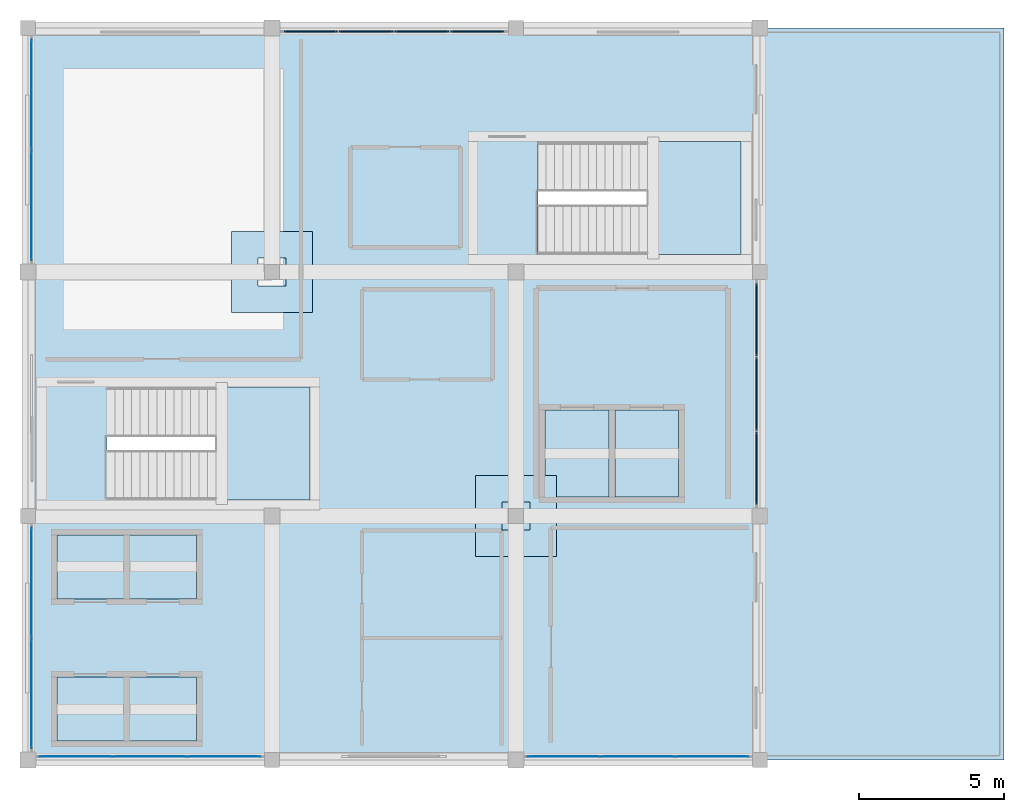
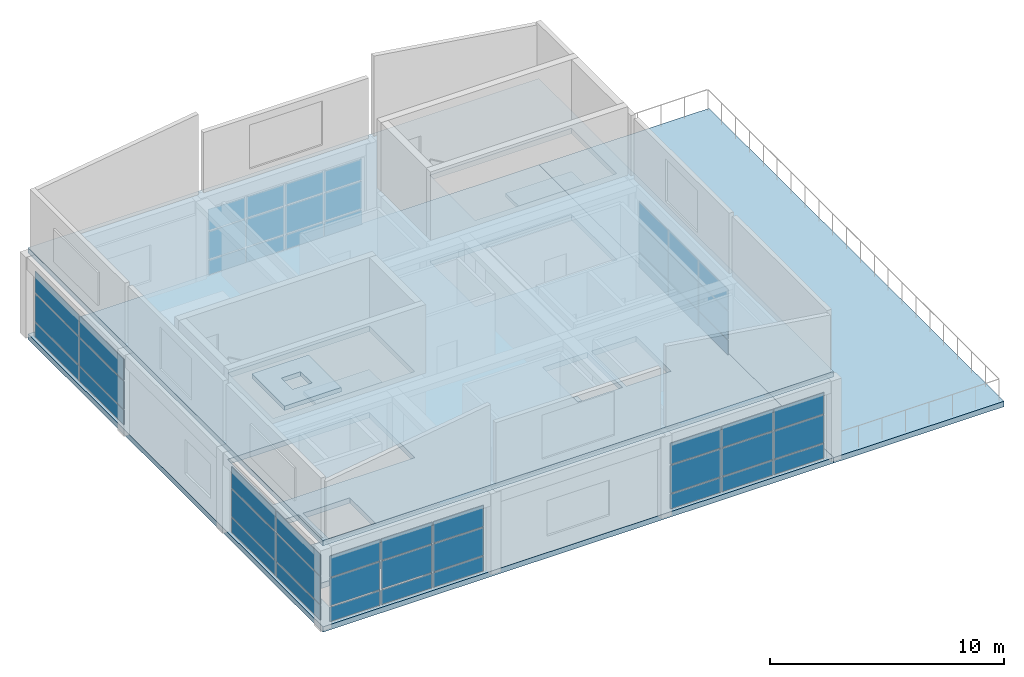
# One storey, part 13 of 17: 51 plates, 7 slabs, 8 elements without a shape of their own.
"""IFC4 building model written with IfcOpenShell, lengths in metres."""

from ifc_helpers import new_model, si_unit, direction, frame, origin, origin_2d, place, context, subcontext, project, spatial, polyline, rectangle, outline, extrude, material, layer, layer_set, type_object, element, aggregate, save


model = new_model("IFC4")

# Units and contexts
model_context = context("Model", 3, precision=1e-05, world=origin(), true_north=direction((0.0, 1.0)))
body_context = subcontext(model_context, "Body", "Model", "MODEL_VIEW")
ifc_project = project(units=[si_unit("LENGTHUNIT", "METRE"), si_unit("AREAUNIT", "SQUARE_METRE"), si_unit("VOLUMEUNIT", "CUBIC_METRE"), si_unit("PLANEANGLEUNIT", "RADIAN"), si_unit("MASSUNIT", "GRAM", prefix="KILO")], contexts=[model_context])

# Site, building, storey
site_placement = place(None, origin())
site = spatial("IfcSite", under=ifc_project, at=site_placement, CompositionType="ELEMENT")
building_placement = place(site_placement, origin())
building = spatial("IfcBuilding", under=site, at=building_placement, Name="Almacenes y Pasaje Nevantli", CompositionType="ELEMENT")
storey_placement = place(building_placement, frame((0.0, 0.0, 66.699951171875)))
storey = spatial("IfcBuildingStorey", under=building, at=storey_placement, Name="L16", CompositionType="ELEMENT", Elevation=66.699951171875)

# Curtain wall, plates
ifc_material_1 = material(Name="Thermally Broken Aluminium and Low-E Glass", Category="aluminium")
curtain_wall_type = type_object("IfcCurtainWallType", Name="CW-UNIT-TOWER", PredefinedType="USERDEFINED", material=ifc_material_1)
curtain_wall_1_placement = place(storey_placement, origin())
curtain_wall_1 = element("IfcCurtainWall", 1, at=curtain_wall_1_placement, inside=storey, type_object=curtain_wall_type, Name="L16 Tower South Unitized Curtain Wall Bay 15", ObjectType="UNITIZED CURTAIN WALL", PredefinedType="USERDEFINED")
ifc_material_2 = material(Name="Low-E Double Glazed Insulated Unit", Category="glass")
ifc_layer_1 = layer(ifc_material_2, 0.031982421875)
ifc_layer_set_1 = layer_set([ifc_layer_1], Name="Low-E Double Glazed Insulated Unit")
plate_type_1 = type_object("IfcPlateType", Name="PL-IGU-32", PredefinedType="CURTAIN_PANEL", material=ifc_layer_set_1)
plate_1_placement = place(storey_placement, frame((119.248291015625, 67.320068359375, 0.06005859375), z_axis=(0.0, 0.0, 1.0), x_axis=(1.0, 0.0, 0.0)))
plate_1 = element("IfcPlate", 2, at=plate_1_placement, type_object=plate_type_1, Name="CW-L16-191 panel 1.1", PredefinedType="CURTAIN_PANEL", context=body_context, shape_type="SweptSolid", body=[
    extrude(rectangle(XDim=2.4765625, YDim=0.031982421875, at=origin_2d()), origin(), (0.0, 0.0, 1.0), 0.760009765625),
])
plate_2_placement = place(storey_placement, frame((119.248291015625, 67.320068359375, 0.880126953125), z_axis=(0.0, 0.0, 1.0), x_axis=(1.0, 0.0, 0.0)))
plate_2 = element("IfcPlate", 3, at=plate_2_placement, type_object=plate_type_1, Name="CW-L16-191 panel 1.2", PredefinedType="CURTAIN_PANEL", context=body_context, shape_type="SweptSolid", body=[
    extrude(rectangle(XDim=2.4765625, YDim=0.031982421875, at=origin_2d()), origin(), (0.0, 0.0, 1.0), 1.43994140625),
])
plate_3_placement = place(storey_placement, frame((119.248291015625, 67.320068359375, 2.3798828125), z_axis=(0.0, 0.0, 1.0), x_axis=(1.0, 0.0, 0.0)))
plate_3 = element("IfcPlate", 4, at=plate_3_placement, type_object=plate_type_1, Name="CW-L16-191 panel 1.3", PredefinedType="CURTAIN_PANEL", context=body_context, shape_type="SweptSolid", body=[
    extrude(rectangle(XDim=2.4765625, YDim=0.031982421875, at=origin_2d()), origin(), (0.0, 0.0, 1.0), 1.10009765625),
])
plate_4_placement = place(storey_placement, frame((121.800048828125, 67.320068359375, 0.06005859375), z_axis=(0.0, 0.0, 1.0), x_axis=(1.0, 0.0, 0.0)))
plate_4 = element("IfcPlate", 5, at=plate_4_placement, type_object=plate_type_1, Name="CW-L16-191 panel 2.1", PredefinedType="CURTAIN_PANEL", context=body_context, shape_type="SweptSolid", body=[
    extrude(rectangle(XDim=2.506591796875, YDim=0.031982421875, at=origin_2d()), origin(), (0.0, 0.0, 1.0), 0.760009765625),
])
plate_5_placement = place(storey_placement, frame((121.800048828125, 67.320068359375, 0.880126953125), z_axis=(0.0, 0.0, 1.0), x_axis=(1.0, 0.0, 0.0)))
plate_5 = element("IfcPlate", 6, at=plate_5_placement, type_object=plate_type_1, Name="CW-L16-191 panel 2.2", PredefinedType="CURTAIN_PANEL", context=body_context, shape_type="SweptSolid", body=[
    extrude(rectangle(XDim=2.506591796875, YDim=0.031982421875, at=origin_2d()), origin(), (0.0, 0.0, 1.0), 1.43994140625),
])
plate_6_placement = place(storey_placement, frame((121.800048828125, 67.320068359375, 2.3798828125), z_axis=(0.0, 0.0, 1.0), x_axis=(1.0, 0.0, 0.0)))
plate_6 = element("IfcPlate", 7, at=plate_6_placement, type_object=plate_type_1, Name="CW-L16-191 panel 2.3", PredefinedType="CURTAIN_PANEL", context=body_context, shape_type="SweptSolid", body=[
    extrude(rectangle(XDim=2.506591796875, YDim=0.031982421875, at=origin_2d()), origin(), (0.0, 0.0, 1.0), 1.10009765625),
])
plate_7_placement = place(storey_placement, frame((124.3515625, 67.320068359375, 0.06005859375), z_axis=(0.0, 0.0, 1.0), x_axis=(1.0, 0.0, 0.0)))
plate_7 = element("IfcPlate", 8, at=plate_7_placement, type_object=plate_type_1, Name="CW-L16-191 panel 3.1", PredefinedType="CURTAIN_PANEL", context=body_context, shape_type="SweptSolid", body=[
    extrude(rectangle(XDim=2.4765625, YDim=0.031982421875, at=origin_2d()), origin(), (0.0, 0.0, 1.0), 0.760009765625),
])
plate_8_placement = place(storey_placement, frame((124.3515625, 67.320068359375, 0.880126953125), z_axis=(0.0, 0.0, 1.0), x_axis=(1.0, 0.0, 0.0)))
plate_8 = element("IfcPlate", 9, at=plate_8_placement, type_object=plate_type_1, Name="CW-L16-191 panel 3.2", PredefinedType="CURTAIN_PANEL", context=body_context, shape_type="SweptSolid", body=[
    extrude(rectangle(XDim=2.4765625, YDim=0.031982421875, at=origin_2d()), origin(), (0.0, 0.0, 1.0), 1.43994140625),
])
plate_9_placement = place(storey_placement, frame((124.3515625, 67.320068359375, 2.3798828125), z_axis=(0.0, 0.0, 1.0), x_axis=(1.0, 0.0, 0.0)))
plate_9 = element("IfcPlate", 10, at=plate_9_placement, type_object=plate_type_1, Name="CW-L16-191 panel 3.3", PredefinedType="CURTAIN_PANEL", context=body_context, shape_type="SweptSolid", body=[
    extrude(rectangle(XDim=2.4765625, YDim=0.031982421875, at=origin_2d()), origin(), (0.0, 0.0, 1.0), 1.10009765625),
])
aggregate(curtain_wall_1, [plate_1, plate_2, plate_3, plate_4, plate_5, plate_6, plate_7, plate_8, plate_9])

curtain_wall_2_placement = place(storey_placement, origin())
curtain_wall_2 = element("IfcCurtainWall", 11, at=curtain_wall_2_placement, inside=storey, type_object=curtain_wall_type, Name="L16 Tower South Unitized Curtain Wall Bay 17", ObjectType="UNITIZED CURTAIN WALL", PredefinedType="USERDEFINED")
plate_10_placement = place(storey_placement, frame((136.04833984375, 67.320068359375, 0.06005859375), z_axis=(0.0, 0.0, 1.0), x_axis=(1.0, 0.0, 0.0)))
plate_10 = element("IfcPlate", 12, at=plate_10_placement, type_object=plate_type_1, Name="CW-L16-193 panel 1.1", PredefinedType="CURTAIN_PANEL", context=body_context, shape_type="SweptSolid", body=[
    extrude(rectangle(XDim=2.4765625, YDim=0.031982421875, at=origin_2d()), origin(), (0.0, 0.0, 1.0), 0.760009765625),
])
plate_11_placement = place(storey_placement, frame((136.04833984375, 67.320068359375, 0.880126953125), z_axis=(0.0, 0.0, 1.0), x_axis=(1.0, 0.0, 0.0)))
plate_11 = element("IfcPlate", 13, at=plate_11_placement, type_object=plate_type_1, Name="CW-L16-193 panel 1.2", PredefinedType="CURTAIN_PANEL", context=body_context, shape_type="SweptSolid", body=[
    extrude(rectangle(XDim=2.4765625, YDim=0.031982421875, at=origin_2d()), origin(), (0.0, 0.0, 1.0), 1.43994140625),
])
plate_12_placement = place(storey_placement, frame((136.04833984375, 67.320068359375, 2.3798828125), z_axis=(0.0, 0.0, 1.0), x_axis=(1.0, 0.0, 0.0)))
plate_12 = element("IfcPlate", 14, at=plate_12_placement, type_object=plate_type_1, Name="CW-L16-193 panel 1.3", PredefinedType="CURTAIN_PANEL", context=body_context, shape_type="SweptSolid", body=[
    extrude(rectangle(XDim=2.4765625, YDim=0.031982421875, at=origin_2d()), origin(), (0.0, 0.0, 1.0), 1.10009765625),
])
plate_13_placement = place(storey_placement, frame((138.60009765625, 67.320068359375, 0.06005859375), z_axis=(0.0, 0.0, 1.0), x_axis=(1.0, 0.0, 0.0)))
plate_13 = element("IfcPlate", 15, at=plate_13_placement, type_object=plate_type_1, Name="CW-L16-193 panel 2.1", PredefinedType="CURTAIN_PANEL", context=body_context, shape_type="SweptSolid", body=[
    extrude(rectangle(XDim=2.506591796875, YDim=0.031982421875, at=origin_2d()), origin(), (0.0, 0.0, 1.0), 0.760009765625),
])
plate_14_placement = place(storey_placement, frame((138.60009765625, 67.320068359375, 0.880126953125), z_axis=(0.0, 0.0, 1.0), x_axis=(1.0, 0.0, 0.0)))
plate_14 = element("IfcPlate", 16, at=plate_14_placement, type_object=plate_type_1, Name="CW-L16-193 panel 2.2", PredefinedType="CURTAIN_PANEL", context=body_context, shape_type="SweptSolid", body=[
    extrude(rectangle(XDim=2.506591796875, YDim=0.031982421875, at=origin_2d()), origin(), (0.0, 0.0, 1.0), 1.43994140625),
])
plate_15_placement = place(storey_placement, frame((138.60009765625, 67.320068359375, 2.3798828125), z_axis=(0.0, 0.0, 1.0), x_axis=(1.0, 0.0, 0.0)))
plate_15 = element("IfcPlate", 17, at=plate_15_placement, type_object=plate_type_1, Name="CW-L16-193 panel 2.3", PredefinedType="CURTAIN_PANEL", context=body_context, shape_type="SweptSolid", body=[
    extrude(rectangle(XDim=2.506591796875, YDim=0.031982421875, at=origin_2d()), origin(), (0.0, 0.0, 1.0), 1.10009765625),
])
plate_16_placement = place(storey_placement, frame((141.151611328125, 67.320068359375, 0.06005859375), z_axis=(0.0, 0.0, 1.0), x_axis=(1.0, 0.0, 0.0)))
plate_16 = element("IfcPlate", 18, at=plate_16_placement, type_object=plate_type_1, Name="CW-L16-193 panel 3.1", PredefinedType="CURTAIN_PANEL", context=body_context, shape_type="SweptSolid", body=[
    extrude(rectangle(XDim=2.4765625, YDim=0.031982421875, at=origin_2d()), origin(), (0.0, 0.0, 1.0), 0.760009765625),
])
plate_17_placement = place(storey_placement, frame((141.151611328125, 67.320068359375, 0.880126953125), z_axis=(0.0, 0.0, 1.0), x_axis=(1.0, 0.0, 0.0)))
plate_17 = element("IfcPlate", 19, at=plate_17_placement, type_object=plate_type_1, Name="CW-L16-193 panel 3.2", PredefinedType="CURTAIN_PANEL", context=body_context, shape_type="SweptSolid", body=[
    extrude(rectangle(XDim=2.4765625, YDim=0.031982421875, at=origin_2d()), origin(), (0.0, 0.0, 1.0), 1.43994140625),
])
plate_18_placement = place(storey_placement, frame((141.151611328125, 67.320068359375, 2.3798828125), z_axis=(0.0, 0.0, 1.0), x_axis=(1.0, 0.0, 0.0)))
plate_18 = element("IfcPlate", 20, at=plate_18_placement, type_object=plate_type_1, Name="CW-L16-193 panel 3.3", PredefinedType="CURTAIN_PANEL", context=body_context, shape_type="SweptSolid", body=[
    extrude(rectangle(XDim=2.4765625, YDim=0.031982421875, at=origin_2d()), origin(), (0.0, 0.0, 1.0), 1.10009765625),
])
aggregate(curtain_wall_2, [plate_10, plate_11, plate_12, plate_13, plate_14, plate_15, plate_16, plate_17, plate_18])

curtain_wall_3_placement = place(storey_placement, origin())
curtain_wall_3 = element("IfcCurtainWall", 21, at=curtain_wall_3_placement, inside=storey, type_object=curtain_wall_type, Name="L16 Tower West Curtain Wall Bay 9", ObjectType="UNITIZED CURTAIN WALL", PredefinedType="USERDEFINED")
plate_19_placement = place(storey_placement, frame((117.719970703125, 69.489990234375, 0.06005859375), z_axis=(0.0, 0.0, 1.0), x_axis=(0.0, 1.0, 0.0)))
plate_19 = element("IfcPlate", 22, at=plate_19_placement, type_object=plate_type_1, Name="CW-L16-194 panel 1.1", PredefinedType="CURTAIN_PANEL", context=body_context, shape_type="SweptSolid", body=[
    extrude(rectangle(XDim=3.760009765625, YDim=0.031982421875, at=origin_2d()), origin(), (0.0, 0.0, 1.0), 0.760009765625),
])
plate_20_placement = place(storey_placement, frame((117.719970703125, 69.489990234375, 0.880126953125), z_axis=(0.0, 0.0, 1.0), x_axis=(0.0, 1.0, 0.0)))
plate_20 = element("IfcPlate", 23, at=plate_20_placement, type_object=plate_type_1, Name="CW-L16-194 panel 1.2", PredefinedType="CURTAIN_PANEL", context=body_context, shape_type="SweptSolid", body=[
    extrude(rectangle(XDim=3.760009765625, YDim=0.031982421875, at=origin_2d()), origin(), (0.0, 0.0, 1.0), 1.43994140625),
])
plate_21_placement = place(storey_placement, frame((117.719970703125, 69.489990234375, 2.3798828125), z_axis=(0.0, 0.0, 1.0), x_axis=(0.0, 1.0, 0.0)))
plate_21 = element("IfcPlate", 24, at=plate_21_placement, type_object=plate_type_1, Name="CW-L16-194 panel 1.3", PredefinedType="CURTAIN_PANEL", context=body_context, shape_type="SweptSolid", body=[
    extrude(rectangle(XDim=3.760009765625, YDim=0.031982421875, at=origin_2d()), origin(), (0.0, 0.0, 1.0), 1.10009765625),
])
plate_22_placement = place(storey_placement, frame((117.719970703125, 73.31005859375, 0.06005859375), z_axis=(0.0, 0.0, 1.0), x_axis=(0.0, 1.0, 0.0)))
plate_22 = element("IfcPlate", 25, at=plate_22_placement, type_object=plate_type_1, Name="CW-L16-194 panel 2.1", PredefinedType="CURTAIN_PANEL", context=body_context, shape_type="SweptSolid", body=[
    extrude(rectangle(XDim=3.760009765625, YDim=0.031982421875, at=origin_2d()), origin(), (0.0, 0.0, 1.0), 0.760009765625),
])
plate_23_placement = place(storey_placement, frame((117.719970703125, 73.31005859375, 0.880126953125), z_axis=(0.0, 0.0, 1.0), x_axis=(0.0, 1.0, 0.0)))
plate_23 = element("IfcPlate", 26, at=plate_23_placement, type_object=plate_type_1, Name="CW-L16-194 panel 2.2", PredefinedType="CURTAIN_PANEL", context=body_context, shape_type="SweptSolid", body=[
    extrude(rectangle(XDim=3.760009765625, YDim=0.031982421875, at=origin_2d()), origin(), (0.0, 0.0, 1.0), 1.43994140625),
])
plate_24_placement = place(storey_placement, frame((117.719970703125, 73.31005859375, 2.3798828125), z_axis=(0.0, 0.0, 1.0), x_axis=(0.0, 1.0, 0.0)))
plate_24 = element("IfcPlate", 27, at=plate_24_placement, type_object=plate_type_1, Name="CW-L16-194 panel 2.3", PredefinedType="CURTAIN_PANEL", context=body_context, shape_type="SweptSolid", body=[
    extrude(rectangle(XDim=3.760009765625, YDim=0.031982421875, at=origin_2d()), origin(), (0.0, 0.0, 1.0), 1.10009765625),
])
aggregate(curtain_wall_3, [plate_19, plate_20, plate_21, plate_22, plate_23, plate_24])

curtain_wall_4_placement = place(storey_placement, origin())
curtain_wall_4 = element("IfcCurtainWall", 28, at=curtain_wall_4_placement, inside=storey, type_object=curtain_wall_type, Name="L16 Tower West Curtain Wall Bay 11", ObjectType="UNITIZED CURTAIN WALL", PredefinedType="USERDEFINED")
plate_25_placement = place(storey_placement, frame((117.719970703125, 86.2900390625, 0.06005859375), z_axis=(0.0, 0.0, 1.0), x_axis=(0.0, 1.0, 0.0)))
plate_25 = element("IfcPlate", 29, at=plate_25_placement, type_object=plate_type_1, Name="CW-L16-196 panel 1.1", PredefinedType="CURTAIN_PANEL", context=body_context, shape_type="SweptSolid", body=[
    extrude(rectangle(XDim=3.760009765625, YDim=0.031982421875, at=origin_2d()), origin(), (0.0, 0.0, 1.0), 0.760009765625),
])
plate_26_placement = place(storey_placement, frame((117.719970703125, 86.2900390625, 0.880126953125), z_axis=(0.0, 0.0, 1.0), x_axis=(0.0, 1.0, 0.0)))
plate_26 = element("IfcPlate", 30, at=plate_26_placement, type_object=plate_type_1, Name="CW-L16-196 panel 1.2", PredefinedType="CURTAIN_PANEL", context=body_context, shape_type="SweptSolid", body=[
    extrude(rectangle(XDim=3.760009765625, YDim=0.031982421875, at=origin_2d()), origin(), (0.0, 0.0, 1.0), 1.43994140625),
])
plate_27_placement = place(storey_placement, frame((117.719970703125, 86.2900390625, 2.3798828125), z_axis=(0.0, 0.0, 1.0), x_axis=(0.0, 1.0, 0.0)))
plate_27 = element("IfcPlate", 31, at=plate_27_placement, type_object=plate_type_1, Name="CW-L16-196 panel 1.3", PredefinedType="CURTAIN_PANEL", context=body_context, shape_type="SweptSolid", body=[
    extrude(rectangle(XDim=3.760009765625, YDim=0.031982421875, at=origin_2d()), origin(), (0.0, 0.0, 1.0), 1.10009765625),
])
plate_28_placement = place(storey_placement, frame((117.719970703125, 90.110107421875, 0.06005859375), z_axis=(0.0, 0.0, 1.0), x_axis=(0.0, 1.0, 0.0)))
plate_28 = element("IfcPlate", 32, at=plate_28_placement, type_object=plate_type_1, Name="CW-L16-196 panel 2.1", PredefinedType="CURTAIN_PANEL", context=body_context, shape_type="SweptSolid", body=[
    extrude(rectangle(XDim=3.760009765625, YDim=0.031982421875, at=origin_2d()), origin(), (0.0, 0.0, 1.0), 0.760009765625),
])
plate_29_placement = place(storey_placement, frame((117.719970703125, 90.110107421875, 0.880126953125), z_axis=(0.0, 0.0, 1.0), x_axis=(0.0, 1.0, 0.0)))
plate_29 = element("IfcPlate", 33, at=plate_29_placement, type_object=plate_type_1, Name="CW-L16-196 panel 2.2", PredefinedType="CURTAIN_PANEL", context=body_context, shape_type="SweptSolid", body=[
    extrude(rectangle(XDim=3.760009765625, YDim=0.031982421875, at=origin_2d()), origin(), (0.0, 0.0, 1.0), 1.43994140625),
])
plate_30_placement = place(storey_placement, frame((117.719970703125, 90.110107421875, 2.3798828125), z_axis=(0.0, 0.0, 1.0), x_axis=(0.0, 1.0, 0.0)))
plate_30 = element("IfcPlate", 34, at=plate_30_placement, type_object=plate_type_1, Name="CW-L16-196 panel 2.3", PredefinedType="CURTAIN_PANEL", context=body_context, shape_type="SweptSolid", body=[
    extrude(rectangle(XDim=3.760009765625, YDim=0.031982421875, at=origin_2d()), origin(), (0.0, 0.0, 1.0), 1.10009765625),
])
aggregate(curtain_wall_4, [plate_25, plate_26, plate_27, plate_28, plate_29, plate_30])

curtain_wall_5_placement = place(storey_placement, origin())
curtain_wall_5 = element("IfcCurtainWall", 35, at=curtain_wall_5_placement, inside=storey, type_object=curtain_wall_type, Name="L16 Tower North Boulevard Unitized Curtain Wall Bay 16", ObjectType="UNITIZED CURTAIN WALL", PredefinedType="USERDEFINED")
ifc_material_3 = material(Name="Acoustic Tempered Low-E Triple Glazed Unit", Category="glass")
ifc_layer_2 = layer(ifc_material_3, 0.0419921875)
ifc_layer_set_2 = layer_set([ifc_layer_2], Name="Acoustic Tempered Low-E Triple Glazed Unit")
plate_type_2 = type_object("IfcPlateType", Name="PL-IGU-42", PredefinedType="CURTAIN_PANEL", material=ifc_layer_set_2)
plate_31_placement = place(storey_placement, frame((127.328857421875, 92.280029296875, 0.065185546875), z_axis=(0.0, 0.0, 1.0), x_axis=(1.0, 0.0, 0.0)))
plate_31 = element("IfcPlate", 36, at=plate_31_placement, type_object=plate_type_2, Name="CW-L16-192 panel 1.1", PredefinedType="CURTAIN_PANEL", context=body_context, shape_type="SweptSolid", body=[
    extrude(rectangle(XDim=1.827392578125, YDim=0.0419921875, at=origin_2d()), origin(), (0.0, 0.0, 1.0), 0.75244140625),
])
plate_32_placement = place(storey_placement, frame((127.328857421875, 92.280029296875, 0.882568359375), z_axis=(0.0, 0.0, 1.0), x_axis=(1.0, 0.0, 0.0)))
plate_32 = element("IfcPlate", 37, at=plate_32_placement, type_object=plate_type_2, Name="CW-L16-192 panel 1.2", PredefinedType="CURTAIN_PANEL", context=body_context, shape_type="SweptSolid", body=[
    extrude(rectangle(XDim=1.827392578125, YDim=0.0419921875, at=origin_2d()), origin(), (0.0, 0.0, 1.0), 1.43505859375),
])
plate_33_placement = place(storey_placement, frame((127.328857421875, 92.280029296875, 2.38232421875), z_axis=(0.0, 0.0, 1.0), x_axis=(1.0, 0.0, 0.0)))
plate_33 = element("IfcPlate", 38, at=plate_33_placement, type_object=plate_type_2, Name="CW-L16-192 panel 1.3", PredefinedType="CURTAIN_PANEL", context=body_context, shape_type="SweptSolid", body=[
    extrude(rectangle(XDim=1.827392578125, YDim=0.0419921875, at=origin_2d()), origin(), (0.0, 0.0, 1.0), 1.092529296875),
])
plate_34_placement = place(storey_placement, frame((129.237548828125, 92.280029296875, 0.065185546875), z_axis=(0.0, 0.0, 1.0), x_axis=(1.0, 0.0, 0.0)))
plate_34 = element("IfcPlate", 39, at=plate_34_placement, type_object=plate_type_2, Name="CW-L16-192 panel 2.1", PredefinedType="CURTAIN_PANEL", context=body_context, shape_type="SweptSolid", body=[
    extrude(rectangle(XDim=1.860107421875, YDim=0.0419921875, at=origin_2d()), origin(), (0.0, 0.0, 1.0), 0.75244140625),
])
plate_35_placement = place(storey_placement, frame((129.237548828125, 92.280029296875, 0.882568359375), z_axis=(0.0, 0.0, 1.0), x_axis=(1.0, 0.0, 0.0)))
plate_35 = element("IfcPlate", 40, at=plate_35_placement, type_object=plate_type_2, Name="CW-L16-192 panel 2.2", PredefinedType="CURTAIN_PANEL", context=body_context, shape_type="SweptSolid", body=[
    extrude(rectangle(XDim=1.860107421875, YDim=0.0419921875, at=origin_2d()), origin(), (0.0, 0.0, 1.0), 1.43505859375),
])
plate_36_placement = place(storey_placement, frame((129.237548828125, 92.280029296875, 2.38232421875), z_axis=(0.0, 0.0, 1.0), x_axis=(1.0, 0.0, 0.0)))
plate_36 = element("IfcPlate", 41, at=plate_36_placement, type_object=plate_type_2, Name="CW-L16-192 panel 2.3", PredefinedType="CURTAIN_PANEL", context=body_context, shape_type="SweptSolid", body=[
    extrude(rectangle(XDim=1.860107421875, YDim=0.0419921875, at=origin_2d()), origin(), (0.0, 0.0, 1.0), 1.092529296875),
])
plate_37_placement = place(storey_placement, frame((131.16259765625, 92.280029296875, 0.065185546875), z_axis=(0.0, 0.0, 1.0), x_axis=(1.0, 0.0, 0.0)))
plate_37 = element("IfcPlate", 42, at=plate_37_placement, type_object=plate_type_2, Name="CW-L16-192 panel 3.1", PredefinedType="CURTAIN_PANEL", context=body_context, shape_type="SweptSolid", body=[
    extrude(rectangle(XDim=1.860107421875, YDim=0.0419921875, at=origin_2d()), origin(), (0.0, 0.0, 1.0), 0.75244140625),
])
plate_38_placement = place(storey_placement, frame((131.16259765625, 92.280029296875, 0.882568359375), z_axis=(0.0, 0.0, 1.0), x_axis=(1.0, 0.0, 0.0)))
plate_38 = element("IfcPlate", 43, at=plate_38_placement, type_object=plate_type_2, Name="CW-L16-192 panel 3.2", PredefinedType="CURTAIN_PANEL", context=body_context, shape_type="SweptSolid", body=[
    extrude(rectangle(XDim=1.860107421875, YDim=0.0419921875, at=origin_2d()), origin(), (0.0, 0.0, 1.0), 1.43505859375),
])
plate_39_placement = place(storey_placement, frame((131.16259765625, 92.280029296875, 2.38232421875), z_axis=(0.0, 0.0, 1.0), x_axis=(1.0, 0.0, 0.0)))
plate_39 = element("IfcPlate", 44, at=plate_39_placement, type_object=plate_type_2, Name="CW-L16-192 panel 3.3", PredefinedType="CURTAIN_PANEL", context=body_context, shape_type="SweptSolid", body=[
    extrude(rectangle(XDim=1.860107421875, YDim=0.0419921875, at=origin_2d()), origin(), (0.0, 0.0, 1.0), 1.092529296875),
])
plate_40_placement = place(storey_placement, frame((133.0712890625, 92.280029296875, 0.065185546875), z_axis=(0.0, 0.0, 1.0), x_axis=(1.0, 0.0, 0.0)))
plate_40 = element("IfcPlate", 45, at=plate_40_placement, type_object=plate_type_2, Name="CW-L16-192 panel 4.1", PredefinedType="CURTAIN_PANEL", context=body_context, shape_type="SweptSolid", body=[
    extrude(rectangle(XDim=1.827392578125, YDim=0.0419921875, at=origin_2d()), origin(), (0.0, 0.0, 1.0), 0.75244140625),
])
plate_41_placement = place(storey_placement, frame((133.0712890625, 92.280029296875, 0.882568359375), z_axis=(0.0, 0.0, 1.0), x_axis=(1.0, 0.0, 0.0)))
plate_41 = element("IfcPlate", 46, at=plate_41_placement, type_object=plate_type_2, Name="CW-L16-192 panel 4.2", PredefinedType="CURTAIN_PANEL", context=body_context, shape_type="SweptSolid", body=[
    extrude(rectangle(XDim=1.827392578125, YDim=0.0419921875, at=origin_2d()), origin(), (0.0, 0.0, 1.0), 1.43505859375),
])
plate_42_placement = place(storey_placement, frame((133.0712890625, 92.280029296875, 2.38232421875), z_axis=(0.0, 0.0, 1.0), x_axis=(1.0, 0.0, 0.0)))
plate_42 = element("IfcPlate", 47, at=plate_42_placement, type_object=plate_type_2, Name="CW-L16-192 panel 4.3", PredefinedType="CURTAIN_PANEL", context=body_context, shape_type="SweptSolid", body=[
    extrude(rectangle(XDim=1.827392578125, YDim=0.0419921875, at=origin_2d()), origin(), (0.0, 0.0, 1.0), 1.092529296875),
])
aggregate(curtain_wall_5, [plate_31, plate_32, plate_33, plate_34, plate_35, plate_36, plate_37, plate_38, plate_39, plate_40, plate_41, plate_42])

curtain_wall_6_placement = place(storey_placement, origin())
curtain_wall_6 = element("IfcCurtainWall", 48, at=curtain_wall_6_placement, inside=storey, type_object=curtain_wall_type, Name="L16 Tower East Curtain Wall Bay 10", ObjectType="UNITIZED CURTAIN WALL", PredefinedType="USERDEFINED")
plate_43_placement = place(storey_placement, frame((142.679931640625, 77.248291015625, 0.06005859375), z_axis=(0.0, 0.0, 1.0), x_axis=(0.0, 1.0, 0.0)))
plate_43 = element("IfcPlate", 49, at=plate_43_placement, type_object=plate_type_2, Name="CW-L16-195 panel 1.1", PredefinedType="CURTAIN_PANEL", context=body_context, shape_type="SweptSolid", body=[
    extrude(rectangle(XDim=2.4765625, YDim=0.0419921875, at=origin_2d()), origin(), (0.0, 0.0, 1.0), 0.760009765625),
])
plate_44_placement = place(storey_placement, frame((142.679931640625, 77.248291015625, 0.880126953125), z_axis=(0.0, 0.0, 1.0), x_axis=(0.0, 1.0, 0.0)))
plate_44 = element("IfcPlate", 50, at=plate_44_placement, type_object=plate_type_2, Name="CW-L16-195 panel 1.2", PredefinedType="CURTAIN_PANEL", context=body_context, shape_type="SweptSolid", body=[
    extrude(rectangle(XDim=2.4765625, YDim=0.0419921875, at=origin_2d()), origin(), (0.0, 0.0, 1.0), 1.43994140625),
])
plate_45_placement = place(storey_placement, frame((142.679931640625, 77.248291015625, 2.3798828125), z_axis=(0.0, 0.0, 1.0), x_axis=(0.0, 1.0, 0.0)))
plate_45 = element("IfcPlate", 51, at=plate_45_placement, type_object=plate_type_2, Name="CW-L16-195 panel 1.3", PredefinedType="CURTAIN_PANEL", context=body_context, shape_type="SweptSolid", body=[
    extrude(rectangle(XDim=2.4765625, YDim=0.0419921875, at=origin_2d()), origin(), (0.0, 0.0, 1.0), 1.10009765625),
])
plate_46_placement = place(storey_placement, frame((142.679931640625, 79.800048828125, 0.06005859375), z_axis=(0.0, 0.0, 1.0), x_axis=(0.0, 1.0, 0.0)))
plate_46 = element("IfcPlate", 52, at=plate_46_placement, type_object=plate_type_2, Name="CW-L16-195 panel 2.1", PredefinedType="CURTAIN_PANEL", context=body_context, shape_type="SweptSolid", body=[
    extrude(rectangle(XDim=2.506591796875, YDim=0.0419921875, at=origin_2d()), origin(), (0.0, 0.0, 1.0), 0.760009765625),
])
plate_47_placement = place(storey_placement, frame((142.679931640625, 79.800048828125, 0.880126953125), z_axis=(0.0, 0.0, 1.0), x_axis=(0.0, 1.0, 0.0)))
plate_47 = element("IfcPlate", 53, at=plate_47_placement, type_object=plate_type_2, Name="CW-L16-195 panel 2.2", PredefinedType="CURTAIN_PANEL", context=body_context, shape_type="SweptSolid", body=[
    extrude(rectangle(XDim=2.506591796875, YDim=0.0419921875, at=origin_2d()), origin(), (0.0, 0.0, 1.0), 1.43994140625),
])
plate_48_placement = place(storey_placement, frame((142.679931640625, 79.800048828125, 2.3798828125), z_axis=(0.0, 0.0, 1.0), x_axis=(0.0, 1.0, 0.0)))
plate_48 = element("IfcPlate", 54, at=plate_48_placement, type_object=plate_type_2, Name="CW-L16-195 panel 2.3", PredefinedType="CURTAIN_PANEL", context=body_context, shape_type="SweptSolid", body=[
    extrude(rectangle(XDim=2.506591796875, YDim=0.0419921875, at=origin_2d()), origin(), (0.0, 0.0, 1.0), 1.10009765625),
])
plate_49_placement = place(storey_placement, frame((142.679931640625, 82.3515625, 0.06005859375), z_axis=(0.0, 0.0, 1.0), x_axis=(0.0, 1.0, 0.0)))
plate_49 = element("IfcPlate", 55, at=plate_49_placement, type_object=plate_type_2, Name="CW-L16-195 panel 3.1", PredefinedType="CURTAIN_PANEL", context=body_context, shape_type="SweptSolid", body=[
    extrude(rectangle(XDim=2.4765625, YDim=0.0419921875, at=origin_2d()), origin(), (0.0, 0.0, 1.0), 0.760009765625),
])
plate_50_placement = place(storey_placement, frame((142.679931640625, 82.3515625, 0.880126953125), z_axis=(0.0, 0.0, 1.0), x_axis=(0.0, 1.0, 0.0)))
plate_50 = element("IfcPlate", 56, at=plate_50_placement, type_object=plate_type_2, Name="CW-L16-195 panel 3.2", PredefinedType="CURTAIN_PANEL", context=body_context, shape_type="SweptSolid", body=[
    extrude(rectangle(XDim=2.4765625, YDim=0.0419921875, at=origin_2d()), origin(), (0.0, 0.0, 1.0), 1.43994140625),
])
plate_51_placement = place(storey_placement, frame((142.679931640625, 82.3515625, 2.3798828125), z_axis=(0.0, 0.0, 1.0), x_axis=(0.0, 1.0, 0.0)))
plate_51 = element("IfcPlate", 57, at=plate_51_placement, type_object=plate_type_2, Name="CW-L16-195 panel 3.3", PredefinedType="CURTAIN_PANEL", context=body_context, shape_type="SweptSolid", body=[
    extrude(rectangle(XDim=2.4765625, YDim=0.0419921875, at=origin_2d()), origin(), (0.0, 0.0, 1.0), 1.10009765625),
])
aggregate(curtain_wall_6, [plate_43, plate_44, plate_45, plate_46, plate_47, plate_48, plate_49, plate_50, plate_51])

# Slabs
ifc_material_4 = material(Name="Concrete C35/45", Category="concrete")
ifc_layer_3 = layer(ifc_material_4, 0.22998046875)
ifc_layer_set_3 = layer_set([ifc_layer_3], Name="Concrete C35/45")
slab_type_1 = type_object("IfcSlabType", Name="SLB-DP-230", PredefinedType="USERDEFINED", material=ifc_layer_set_3)
slab_1_placement = place(storey_placement, frame((0.0, 0.0, -0.510009765625)))
element("IfcSlab", 58, at=slab_1_placement, inside=storey, type_object=slab_type_1, Name="L16 Punching-Shear Drop Panel DP-01 #1185", ObjectType="DROP PANEL", PredefinedType="USERDEFINED", context=body_context, shape_type="SweptSolid", body=[
    extrude(outline(polyline([(124.60009765625, 82.60009765625), (127.39990234375, 82.60009765625), (127.39990234375, 85.39990234375), (124.60009765625, 85.39990234375), (124.60009765625, 82.60009765625)]), holes=[polyline([(125.52001953125, 83.52001953125), (126.47998046875, 83.52001953125), (126.47998046875, 84.47998046875), (125.52001953125, 84.47998046875), (125.52001953125, 83.52001953125)])]), origin(), (0.0, 0.0, 1.0), 0.22998046875),
])
slab_2_placement = place(storey_placement, frame((0.0, 0.0, -0.510009765625)))
element("IfcSlab", 59, at=slab_2_placement, inside=storey, type_object=slab_type_1, Name="L16 Punching-Shear Drop Panel DP-01 #1186", ObjectType="DROP PANEL", PredefinedType="USERDEFINED", context=body_context, shape_type="SweptSolid", body=[
    extrude(outline(polyline([(133.0, 74.199951171875), (135.800048828125, 74.199951171875), (135.800048828125, 77.0), (133.0, 77.0), (133.0, 74.199951171875)]), holes=[polyline([(133.919921875, 75.1201171875), (134.8798828125, 75.1201171875), (134.8798828125, 76.080078125), (133.919921875, 76.080078125), (133.919921875, 75.1201171875)])]), origin(), (0.0, 0.0, 1.0), 0.22998046875),
])
ifc_material_5 = material(Name="Concrete C35/45", Category="concrete")
ifc_layer_4 = layer(ifc_material_5, 0.280029296875)
ifc_layer_set_4 = layer_set([ifc_layer_4], Name="Concrete C35/45")
slab_type_2 = type_object("IfcSlabType", Name="SLB-FLR-280", PredefinedType="FLOOR", material=ifc_layer_set_4)
slab_3_placement = place(storey_placement, frame((0.0, 0.0, -0.280029296875)))
element("IfcSlab", 60, at=slab_3_placement, inside=storey, type_object=slab_type_2, Name="L16 Corporate Office Tower Floor Slab", PredefinedType="FLOOR", context=body_context, shape_type="SweptSolid", body=[
    extrude(outline(polyline([(117.60009765625, 67.199951171875), (142.800048828125, 67.199951171875), (142.800048828125, 92.39990234375), (117.60009765625, 92.39990234375), (117.60009765625, 67.199951171875)]), holes=[polyline([(120.31494140625, 76.14990234375), (127.300048828125, 76.14990234375), (127.300048828125, 80.0400390625), (120.31494140625, 80.0400390625), (120.31494140625, 76.14990234375)]), polyline([(135.1650390625, 84.60009765625), (142.14990234375, 84.60009765625), (142.14990234375, 88.489990234375), (135.1650390625, 88.489990234375), (135.1650390625, 84.60009765625)]), polyline([(118.60009765625, 67.85009765625), (120.89990234375, 67.85009765625), (120.89990234375, 70.050048828125), (118.60009765625, 70.050048828125), (118.60009765625, 67.85009765625)]), polyline([(121.10009765625, 67.85009765625), (123.39990234375, 67.85009765625), (123.39990234375, 70.050048828125), (121.10009765625, 70.050048828125), (121.10009765625, 67.85009765625)]), polyline([(118.60009765625, 72.75), (120.89990234375, 72.75), (120.89990234375, 74.949951171875), (118.60009765625, 74.949951171875), (118.60009765625, 72.75)]), polyline([(121.10009765625, 72.75), (123.39990234375, 72.75), (123.39990234375, 74.949951171875), (121.10009765625, 74.949951171875), (121.10009765625, 72.75)]), polyline([(135.39990234375, 76.25), (137.60009765625, 76.25), (137.60009765625, 79.25), (135.39990234375, 79.25), (135.39990234375, 76.25)]), polyline([(137.800048828125, 76.25), (140.0, 76.25), (140.0, 79.25), (137.800048828125, 79.25), (137.800048828125, 76.25)])]), origin(), (0.0, 0.0, 1.0), 0.280029296875),
])
slab_4_placement = place(storey_placement, frame((0.0, 0.0, 4.219970703125)))
element("IfcSlab", 61, at=slab_4_placement, inside=storey, type_object=slab_type_2, Name="L16 Crown Penthouse Mechanical Floor Slab", PredefinedType="FLOOR", context=body_context, shape_type="SweptSolid", body=[
    extrude(outline(polyline([(117.60009765625, 67.199951171875), (142.800048828125, 67.199951171875), (142.800048828125, 92.39990234375), (117.60009765625, 92.39990234375), (117.60009765625, 67.199951171875)]), holes=[polyline([(120.31494140625, 76.14990234375), (127.300048828125, 76.14990234375), (127.300048828125, 80.0400390625), (120.31494140625, 80.0400390625), (120.31494140625, 76.14990234375)]), polyline([(135.1650390625, 84.60009765625), (142.14990234375, 84.60009765625), (142.14990234375, 88.489990234375), (135.1650390625, 88.489990234375), (135.1650390625, 84.60009765625)])]), origin(), (0.0, 0.0, 1.0), 0.280029296875),
])

# Stair, slab
ifc_material_6 = material(Name="Concrete C35/45", Category="concrete")
stair_type = type_object("IfcStairType", Name="STR-CORE-1720", PredefinedType="HALF_TURN_STAIR", material=ifc_material_6)
stair_1_placement = place(storey_placement, origin())
stair_1 = element("IfcStair", 62, at=stair_1_placement, inside=storey, type_object=stair_type, Name="L16 Staircase ST-01", PredefinedType="HALF_TURN_STAIR")
ifc_material_7 = material(Name="Concrete C35/45", Category="concrete")
ifc_layer_5 = layer(ifc_material_7, 0.199951171875)
ifc_layer_set_5 = layer_set([ifc_layer_5], Name="Concrete C35/45")
slab_type_3 = type_object("IfcSlabType", Name="SLB-LAND-200", PredefinedType="LANDING", material=ifc_layer_set_5)
slab_5_placement = place(storey_placement, frame((0.0, 0.0, 2.050048828125)))
slab_5 = element("IfcSlab", 63, at=slab_5_placement, type_object=slab_type_3, Name="ST-01-L16 landing 1", PredefinedType="LANDING", context=body_context, shape_type="SweptSolid", body=[
    extrude(outline(polyline([(124.054931640625, 76.14990234375), (127.300048828125, 76.14990234375), (127.300048828125, 80.0400390625), (124.054931640625, 80.0400390625), (124.054931640625, 76.14990234375)])), origin(), (0.0, 0.0, 1.0), 0.199951171875),
])
aggregate(stair_1, [slab_5])

stair_2_placement = place(storey_placement, origin())
stair_2 = element("IfcStair", 64, at=stair_2_placement, inside=storey, type_object=stair_type, Name="L16 Staircase ST-02", PredefinedType="HALF_TURN_STAIR")
slab_6_placement = place(storey_placement, frame((0.0, 0.0, 2.050048828125)))
slab_6 = element("IfcSlab", 65, at=slab_6_placement, type_object=slab_type_3, Name="ST-02-L16 landing 1", PredefinedType="LANDING", context=body_context, shape_type="SweptSolid", body=[
    extrude(outline(polyline([(138.905029296875, 84.60009765625), (142.14990234375, 84.60009765625), (142.14990234375, 88.489990234375), (138.905029296875, 88.489990234375), (138.905029296875, 84.60009765625)])), origin(), (0.0, 0.0, 1.0), 0.199951171875),
])
aggregate(stair_2, [slab_6])

# Slab
ifc_material_8 = material(Name="Concrete C35/45", Category="concrete")
ifc_layer_6 = layer(ifc_material_8, 0.280029296875)
ifc_layer_set_6 = layer_set([ifc_layer_6], Name="Concrete C35/45")
slab_type_4 = type_object("IfcSlabType", Name="SLB-ROOF-280", PredefinedType="ROOF", material=ifc_layer_set_6)
slab_7_placement = place(storey_placement, frame((0.0, 0.0, -0.280029296875)))
element("IfcSlab", 66, at=slab_7_placement, inside=storey, type_object=slab_type_4, Name="L16 Executive Belvedere Walkable Terrace Slab", PredefinedType="ROOF", context=body_context, shape_type="SweptSolid", body=[
    extrude(outline(polyline([(142.800048828125, 67.199951171875), (151.199951171875, 67.199951171875), (151.199951171875, 92.39990234375), (142.800048828125, 92.39990234375), (142.800048828125, 67.199951171875)])), origin(), (0.0, 0.0, 1.0), 0.280029296875),
])

save(model, "model.ifc")
